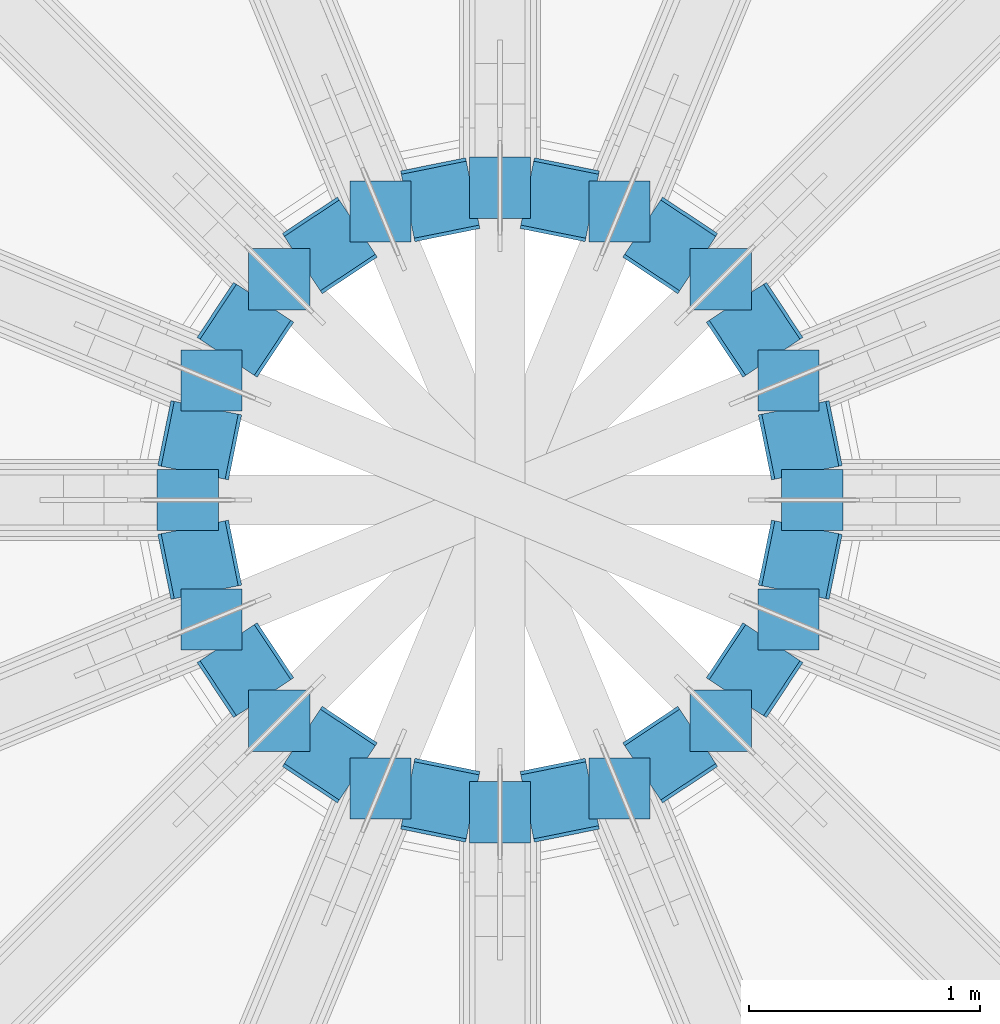
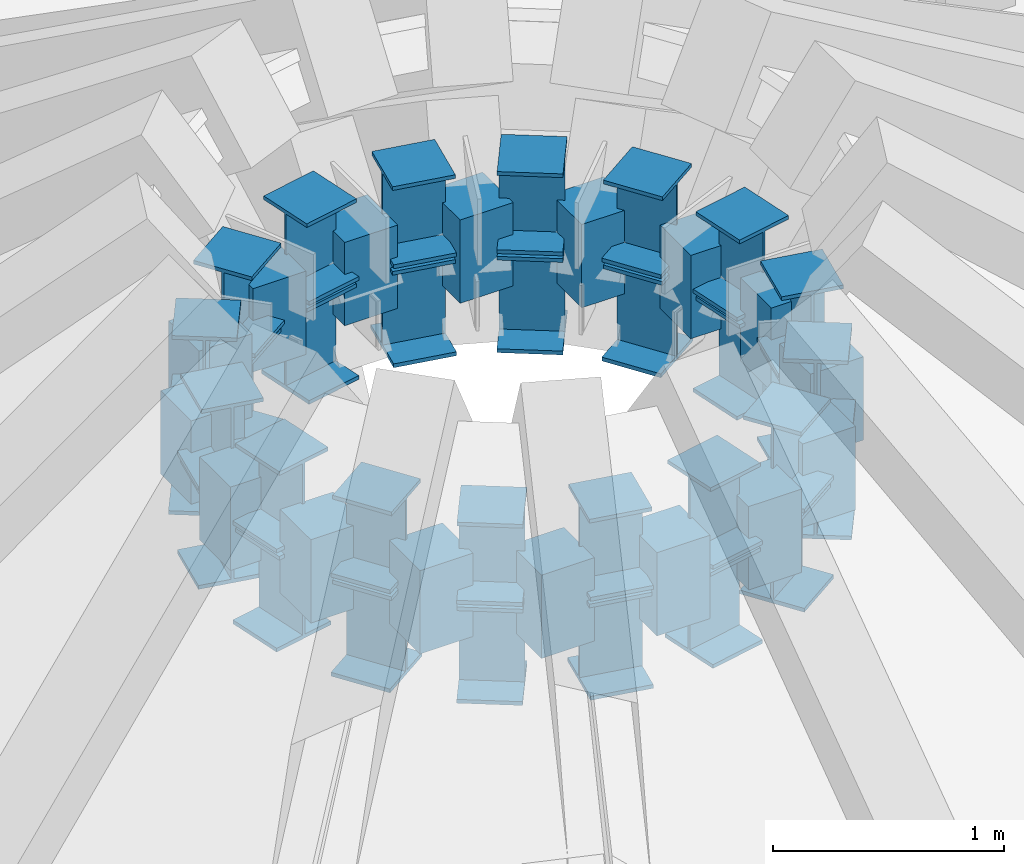
# One storey, part 20 of 58: 32 beams, 16 members.
"""IFC4 building model written with IfcOpenShell, lengths in metres."""

from ifc_helpers import new_model, si_unit, direction, frame, origin, origin_2d, place, context, subcontext, project, spatial, rectangle, i_section, extrude, material, material_profile, profile_set, type_object, element, save


model = new_model("IFC4")

# Units and contexts
model_context = context("Model", 3, precision=1e-05, world=origin(), true_north=direction((0.0, 1.0)))
body_context = subcontext(model_context, "Body", "Model", "MODEL_VIEW")
ifc_project = project(units=[si_unit("LENGTHUNIT", "METRE"), si_unit("AREAUNIT", "SQUARE_METRE"), si_unit("VOLUMEUNIT", "CUBIC_METRE"), si_unit("PLANEANGLEUNIT", "RADIAN"), si_unit("MASSUNIT", "GRAM", prefix="KILO")], contexts=[model_context])

# Site, building, storey
site_placement = place(None, origin())
site = spatial("IfcSite", under=ifc_project, at=site_placement, CompositionType="ELEMENT")
building_placement = place(site_placement, origin())
building = spatial("IfcBuilding", under=site, at=building_placement, Name="Aldenvaro Health Centre", CompositionType="ELEMENT")
storey_placement = place(building_placement, frame((0.0, 0.0, 8.75)))
storey = spatial("IfcBuildingStorey", under=building, at=storey_placement, Name="L02", CompositionType="ELEMENT", Elevation=8.75)

# Beams
ifc_material_1 = material(Name="Steel ASTM A992 Grade 50", Category="steel")
ifc_material_profile_1 = material_profile(ifc_material_1, i_section(OverallWidth=0.281982421875, OverallDepth=0.467041015625, WebThickness=0.01220703125, FlangeThickness=0.01953125, at=origin_2d()), Name="W18X86", Category="steel")
ifc_profile_set_1 = profile_set([ifc_material_profile_1], Name="Steel ASTM A992 Grade 50")
beam_type_1 = type_object("IfcBeamType", Name="BM-ST-W18", PredefinedType="SPANDREL", material=ifc_profile_set_1)
beam_1_placement = place(storey_placement, frame((88.326904296875, 20.117919921875, 10.3798828125), z_axis=(-0.198408199651, 0.980119475529, 0.0), x_axis=(-0.980119475529, -0.198408199651, 0.0)))
element("IfcBeam", 1, at=beam_1_placement, inside=storey, type_object=beam_type_1, Name="Waiting Hall Roof Truss Compression Ring 01", PredefinedType="SPANDREL", context=body_context, shape_type="SweptSolid", body=[
    extrude(i_section(OverallWidth=0.281982421875, OverallDepth=0.467041015625, WebThickness=0.01220703125, FlangeThickness=0.01953125, at=origin_2d()), origin(), (0.0, 0.0, 1.0), 0.28662109375),
])
for number, where, z_axis, x_axis, name in (
    (2, (88.179931640625, 20.616943359375, 10.3798828125), (-0.55292400272, 0.833231688797, 0.0), (-0.833231688797, -0.55292400272, 0.0), "Waiting Hall Roof Truss Compression Ring 02"),
    (3, (87.85498046875, 21.02197265625, 10.3798828125), (-0.833231688797, 0.55292400272, 0.0), (-0.55292400272, -0.833231688797, 0.0), "Waiting Hall Roof Truss Compression Ring 03"),
):
    element("IfcBeam", number, at=place(storey_placement, frame(where, z_axis=z_axis, x_axis=x_axis)), inside=storey, type_object=beam_type_1, Name=name, PredefinedType="SPANDREL", context=body_context, shape_type="SweptSolid", body=[
        extrude(i_section(OverallWidth=0.281982421875, OverallDepth=0.467041015625, WebThickness=0.01220703125, FlangeThickness=0.01953125, at=origin_2d()), origin(), (0.0, 0.0, 1.0), 0.28564453125),
    ])
for number, where, z_axis, x_axis, name in (
    (4, (87.39892578125, 21.27001953125, 10.3798828125), (-0.980119475529, 0.198408199651, 0.0), (-0.198408199651, -0.980119475529, 0.0), "Waiting Hall Roof Truss Compression Ring 04"),
    (5, (86.882080078125, 21.326904296875, 10.3798828125), (-0.980119475529, -0.198408199651, 0.0), (0.198408199651, -0.980119475529, 0.0), "Waiting Hall Roof Truss Compression Ring 05"),
):
    element("IfcBeam", number, at=place(storey_placement, frame(where, z_axis=z_axis, x_axis=x_axis)), inside=storey, type_object=beam_type_1, Name=name, PredefinedType="SPANDREL", context=body_context, shape_type="SweptSolid", body=[
        extrude(i_section(OverallWidth=0.281982421875, OverallDepth=0.467041015625, WebThickness=0.01220703125, FlangeThickness=0.01953125, at=origin_2d()), origin(), (0.0, 0.0, 1.0), 0.28662109375),
    ])
for number, where, z_axis, x_axis, name in (
    (6, (86.383056640625, 21.179931640625, 10.3798828125), (-0.833231688797, -0.55292400272, 0.0), (0.55292400272, -0.833231688797, 0.0), "Waiting Hall Roof Truss Compression Ring 06"),
    (7, (85.97802734375, 20.85498046875, 10.3798828125), (-0.55292400272, -0.833231688797, 0.0), (0.833231688797, -0.55292400272, 0.0), "Waiting Hall Roof Truss Compression Ring 07"),
):
    element("IfcBeam", number, at=place(storey_placement, frame(where, z_axis=z_axis, x_axis=x_axis)), inside=storey, type_object=beam_type_1, Name=name, PredefinedType="SPANDREL", context=body_context, shape_type="SweptSolid", body=[
        extrude(i_section(OverallWidth=0.281982421875, OverallDepth=0.467041015625, WebThickness=0.01220703125, FlangeThickness=0.01953125, at=origin_2d()), origin(), (0.0, 0.0, 1.0), 0.28564453125),
    ])
for number, where, z_axis, x_axis, name in (
    (8, (85.72998046875, 20.39892578125, 10.3798828125), (-0.198408199651, -0.980119475529, 0.0), (0.980119475529, -0.198408199651, 0.0), "Waiting Hall Roof Truss Compression Ring 08"),
    (9, (85.673095703125, 19.882080078125, 10.3798828125), (0.198408199651, -0.980119475529, 0.0), (0.980119475529, 0.198408199651, 0.0), "Waiting Hall Roof Truss Compression Ring 09"),
):
    element("IfcBeam", number, at=place(storey_placement, frame(where, z_axis=z_axis, x_axis=x_axis)), inside=storey, type_object=beam_type_1, Name=name, PredefinedType="SPANDREL", context=body_context, shape_type="SweptSolid", body=[
        extrude(i_section(OverallWidth=0.281982421875, OverallDepth=0.467041015625, WebThickness=0.01220703125, FlangeThickness=0.01953125, at=origin_2d()), origin(), (0.0, 0.0, 1.0), 0.28662109375),
    ])
for number, where, z_axis, x_axis, name in (
    (10, (85.820068359375, 19.383056640625, 10.3798828125), (0.55292400272, -0.833231688797, 0.0), (0.833231688797, 0.55292400272, 0.0), "Waiting Hall Roof Truss Compression Ring 10"),
    (11, (86.14501953125, 18.97802734375, 10.3798828125), (0.833231688797, -0.55292400272, 0.0), (0.55292400272, 0.833231688797, 0.0), "Waiting Hall Roof Truss Compression Ring 11"),
):
    element("IfcBeam", number, at=place(storey_placement, frame(where, z_axis=z_axis, x_axis=x_axis)), inside=storey, type_object=beam_type_1, Name=name, PredefinedType="SPANDREL", context=body_context, shape_type="SweptSolid", body=[
        extrude(i_section(OverallWidth=0.281982421875, OverallDepth=0.467041015625, WebThickness=0.01220703125, FlangeThickness=0.01953125, at=origin_2d()), origin(), (0.0, 0.0, 1.0), 0.28564453125),
    ])
for number, where, z_axis, x_axis, name in (
    (12, (86.60107421875, 18.72998046875, 10.3798828125), (0.980119475529, -0.198408199651, 0.0), (0.198408199651, 0.980119475529, 0.0), "Waiting Hall Roof Truss Compression Ring 12"),
    (13, (87.117919921875, 18.673095703125, 10.3798828125), (0.980119475529, 0.198408199651, 0.0), (-0.198408199651, 0.980119475529, 0.0), "Waiting Hall Roof Truss Compression Ring 13"),
):
    element("IfcBeam", number, at=place(storey_placement, frame(where, z_axis=z_axis, x_axis=x_axis)), inside=storey, type_object=beam_type_1, Name=name, PredefinedType="SPANDREL", context=body_context, shape_type="SweptSolid", body=[
        extrude(i_section(OverallWidth=0.281982421875, OverallDepth=0.467041015625, WebThickness=0.01220703125, FlangeThickness=0.01953125, at=origin_2d()), origin(), (0.0, 0.0, 1.0), 0.28662109375),
    ])
for number, where, z_axis, x_axis, name in (
    (14, (87.616943359375, 18.820068359375, 10.3798828125), (0.833231688797, 0.55292400272, 0.0), (-0.55292400272, 0.833231688797, 0.0), "Waiting Hall Roof Truss Compression Ring 14"),
    (15, (88.02197265625, 19.14501953125, 10.3798828125), (0.55292400272, 0.833231688797, 0.0), (-0.833231688797, 0.55292400272, 0.0), "Waiting Hall Roof Truss Compression Ring 15"),
):
    element("IfcBeam", number, at=place(storey_placement, frame(where, z_axis=z_axis, x_axis=x_axis)), inside=storey, type_object=beam_type_1, Name=name, PredefinedType="SPANDREL", context=body_context, shape_type="SweptSolid", body=[
        extrude(i_section(OverallWidth=0.281982421875, OverallDepth=0.467041015625, WebThickness=0.01220703125, FlangeThickness=0.01953125, at=origin_2d()), origin(), (0.0, 0.0, 1.0), 0.28564453125),
    ])
beam_2_placement = place(storey_placement, frame((88.27001953125, 19.60107421875, 10.3798828125), z_axis=(0.198408199651, 0.980119475529, 0.0), x_axis=(-0.980119475529, 0.198408199651, 0.0)))
element("IfcBeam", 16, at=beam_2_placement, inside=storey, type_object=beam_type_1, Name="Waiting Hall Roof Truss Compression Ring 16", PredefinedType="SPANDREL", context=body_context, shape_type="SweptSolid", body=[
    extrude(i_section(OverallWidth=0.281982421875, OverallDepth=0.467041015625, WebThickness=0.01220703125, FlangeThickness=0.01953125, at=origin_2d()), origin(), (0.0, 0.0, 1.0), 0.28662109375),
])
ifc_material_profile_2 = material_profile(ifc_material_1, i_section(OverallWidth=0.31201171875, OverallDepth=0.54296875, WebThickness=0.0126953125, FlangeThickness=0.020263671875, at=origin_2d()), Name="W21X101", Category="steel")
ifc_profile_set_2 = profile_set([ifc_material_profile_2], Name="Steel ASTM A992 Grade 50")
beam_type_2 = type_object("IfcBeamType", Name="BM-ST-W21", PredefinedType="BEAM", material=ifc_profile_set_2)
beam_3_placement = place(storey_placement, frame((88.326904296875, 20.117919921875, 9.93994140625), z_axis=(-0.198408199651, 0.980119475529, 0.0), x_axis=(-0.980119475529, -0.198408199651, 0.0)))
element("IfcBeam", 17, at=beam_3_placement, inside=storey, type_object=beam_type_2, Name="Waiting Hall Roof Truss Tension Ring 01", PredefinedType="BEAM", context=body_context, shape_type="SweptSolid", body=[
    extrude(i_section(OverallWidth=0.31201171875, OverallDepth=0.54296875, WebThickness=0.0126953125, FlangeThickness=0.020263671875, at=origin_2d()), origin(), (0.0, 0.0, 1.0), 0.28662109375),
])
for number, where, z_axis, x_axis, name in (
    (18, (88.179931640625, 20.616943359375, 9.93994140625), (-0.55292400272, 0.833231688797, 0.0), (-0.833231688797, -0.55292400272, 0.0), "Waiting Hall Roof Truss Tension Ring 02"),
    (19, (87.85498046875, 21.02197265625, 9.93994140625), (-0.833231688797, 0.55292400272, 0.0), (-0.55292400272, -0.833231688797, 0.0), "Waiting Hall Roof Truss Tension Ring 03"),
):
    element("IfcBeam", number, at=place(storey_placement, frame(where, z_axis=z_axis, x_axis=x_axis)), inside=storey, type_object=beam_type_2, Name=name, PredefinedType="BEAM", context=body_context, shape_type="SweptSolid", body=[
        extrude(i_section(OverallWidth=0.31201171875, OverallDepth=0.54296875, WebThickness=0.0126953125, FlangeThickness=0.020263671875, at=origin_2d()), origin(), (0.0, 0.0, 1.0), 0.28564453125),
    ])
for number, where, z_axis, x_axis, name in (
    (20, (87.39892578125, 21.27001953125, 9.93994140625), (-0.980119475529, 0.198408199651, 0.0), (-0.198408199651, -0.980119475529, 0.0), "Waiting Hall Roof Truss Tension Ring 04"),
    (21, (86.882080078125, 21.326904296875, 9.93994140625), (-0.980119475529, -0.198408199651, 0.0), (0.198408199651, -0.980119475529, 0.0), "Waiting Hall Roof Truss Tension Ring 05"),
):
    element("IfcBeam", number, at=place(storey_placement, frame(where, z_axis=z_axis, x_axis=x_axis)), inside=storey, type_object=beam_type_2, Name=name, PredefinedType="BEAM", context=body_context, shape_type="SweptSolid", body=[
        extrude(i_section(OverallWidth=0.31201171875, OverallDepth=0.54296875, WebThickness=0.0126953125, FlangeThickness=0.020263671875, at=origin_2d()), origin(), (0.0, 0.0, 1.0), 0.28662109375),
    ])
for number, where, z_axis, x_axis, name in (
    (22, (86.383056640625, 21.179931640625, 9.93994140625), (-0.833231688797, -0.55292400272, 0.0), (0.55292400272, -0.833231688797, 0.0), "Waiting Hall Roof Truss Tension Ring 06"),
    (23, (85.97802734375, 20.85498046875, 9.93994140625), (-0.55292400272, -0.833231688797, 0.0), (0.833231688797, -0.55292400272, 0.0), "Waiting Hall Roof Truss Tension Ring 07"),
):
    element("IfcBeam", number, at=place(storey_placement, frame(where, z_axis=z_axis, x_axis=x_axis)), inside=storey, type_object=beam_type_2, Name=name, PredefinedType="BEAM", context=body_context, shape_type="SweptSolid", body=[
        extrude(i_section(OverallWidth=0.31201171875, OverallDepth=0.54296875, WebThickness=0.0126953125, FlangeThickness=0.020263671875, at=origin_2d()), origin(), (0.0, 0.0, 1.0), 0.28564453125),
    ])
for number, where, z_axis, x_axis, name in (
    (24, (85.72998046875, 20.39892578125, 9.93994140625), (-0.198408199651, -0.980119475529, 0.0), (0.980119475529, -0.198408199651, 0.0), "Waiting Hall Roof Truss Tension Ring 08"),
    (25, (85.673095703125, 19.882080078125, 9.93994140625), (0.198408199651, -0.980119475529, 0.0), (0.980119475529, 0.198408199651, 0.0), "Waiting Hall Roof Truss Tension Ring 09"),
):
    element("IfcBeam", number, at=place(storey_placement, frame(where, z_axis=z_axis, x_axis=x_axis)), inside=storey, type_object=beam_type_2, Name=name, PredefinedType="BEAM", context=body_context, shape_type="SweptSolid", body=[
        extrude(i_section(OverallWidth=0.31201171875, OverallDepth=0.54296875, WebThickness=0.0126953125, FlangeThickness=0.020263671875, at=origin_2d()), origin(), (0.0, 0.0, 1.0), 0.28662109375),
    ])
for number, where, z_axis, x_axis, name in (
    (26, (85.820068359375, 19.383056640625, 9.93994140625), (0.55292400272, -0.833231688797, 0.0), (0.833231688797, 0.55292400272, 0.0), "Waiting Hall Roof Truss Tension Ring 10"),
    (27, (86.14501953125, 18.97802734375, 9.93994140625), (0.833231688797, -0.55292400272, 0.0), (0.55292400272, 0.833231688797, 0.0), "Waiting Hall Roof Truss Tension Ring 11"),
):
    element("IfcBeam", number, at=place(storey_placement, frame(where, z_axis=z_axis, x_axis=x_axis)), inside=storey, type_object=beam_type_2, Name=name, PredefinedType="BEAM", context=body_context, shape_type="SweptSolid", body=[
        extrude(i_section(OverallWidth=0.31201171875, OverallDepth=0.54296875, WebThickness=0.0126953125, FlangeThickness=0.020263671875, at=origin_2d()), origin(), (0.0, 0.0, 1.0), 0.28564453125),
    ])
for number, where, z_axis, x_axis, name in (
    (28, (86.60107421875, 18.72998046875, 9.93994140625), (0.980119475529, -0.198408199651, 0.0), (0.198408199651, 0.980119475529, 0.0), "Waiting Hall Roof Truss Tension Ring 12"),
    (29, (87.117919921875, 18.673095703125, 9.93994140625), (0.980119475529, 0.198408199651, 0.0), (-0.198408199651, 0.980119475529, 0.0), "Waiting Hall Roof Truss Tension Ring 13"),
):
    element("IfcBeam", number, at=place(storey_placement, frame(where, z_axis=z_axis, x_axis=x_axis)), inside=storey, type_object=beam_type_2, Name=name, PredefinedType="BEAM", context=body_context, shape_type="SweptSolid", body=[
        extrude(i_section(OverallWidth=0.31201171875, OverallDepth=0.54296875, WebThickness=0.0126953125, FlangeThickness=0.020263671875, at=origin_2d()), origin(), (0.0, 0.0, 1.0), 0.28662109375),
    ])
for number, where, z_axis, x_axis, name in (
    (30, (87.616943359375, 18.820068359375, 9.93994140625), (0.833231688797, 0.55292400272, 0.0), (-0.55292400272, 0.833231688797, 0.0), "Waiting Hall Roof Truss Tension Ring 14"),
    (31, (88.02197265625, 19.14501953125, 9.93994140625), (0.55292400272, 0.833231688797, 0.0), (-0.833231688797, 0.55292400272, 0.0), "Waiting Hall Roof Truss Tension Ring 15"),
):
    element("IfcBeam", number, at=place(storey_placement, frame(where, z_axis=z_axis, x_axis=x_axis)), inside=storey, type_object=beam_type_2, Name=name, PredefinedType="BEAM", context=body_context, shape_type="SweptSolid", body=[
        extrude(i_section(OverallWidth=0.31201171875, OverallDepth=0.54296875, WebThickness=0.0126953125, FlangeThickness=0.020263671875, at=origin_2d()), origin(), (0.0, 0.0, 1.0), 0.28564453125),
    ])
beam_4_placement = place(storey_placement, frame((88.27001953125, 19.60107421875, 9.93994140625), z_axis=(0.198408199651, 0.980119475529, 0.0), x_axis=(-0.980119475529, 0.198408199651, 0.0)))
element("IfcBeam", 32, at=beam_4_placement, inside=storey, type_object=beam_type_2, Name="Waiting Hall Roof Truss Tension Ring 16", PredefinedType="BEAM", context=body_context, shape_type="SweptSolid", body=[
    extrude(i_section(OverallWidth=0.31201171875, OverallDepth=0.54296875, WebThickness=0.0126953125, FlangeThickness=0.020263671875, at=origin_2d()), origin(), (0.0, 0.0, 1.0), 0.28662109375),
])

# Members
ifc_material_2 = material(Name="Glulam GL28h", Category="wood")
ifc_material_profile_3 = material_profile(ifc_material_2, rectangle(XDim=0.264892578125, YDim=0.264892578125, at=origin_2d()), Name="GL 265x265", Category="wood")
ifc_profile_set_3 = profile_set([ifc_material_profile_3], Name="Glulam GL28h")
member_type = type_object("IfcMemberType", Name="MEM-ST-265", PredefinedType="STRUT", material=ifc_profile_set_3)
for number, where, z_axis, x_axis, name in (
    (33, (88.35009765625, 20.0, 9.93994140625), (0.0, 0.0, 1.0), (1.0, 0.0, 0.0), "Waiting Hall Roof Truss Lantern Strut 01"),
    (34, (88.2470703125, 20.51708984375, 9.93994140625), (0.0, 0.0, 1.0), (1.0, 0.0, 0.0), "Waiting Hall Roof Truss Lantern Strut 02"),
    (35, (87.955078125, 20.955078125, 9.93994140625), (0.0, 0.0, 1.0), (1.0, 0.0, 0.0), "Waiting Hall Roof Truss Lantern Strut 03"),
    (36, (87.51708984375, 21.2470703125, 9.93994140625), (0.0, 0.0, 1.0), (1.0, 0.0, 0.0), "Waiting Hall Roof Truss Lantern Strut 04"),
    (37, (87.0, 21.35009765625, 9.93994140625), (0.0, 0.0, 1.0), (1.0, 0.0, 0.0), "Waiting Hall Roof Truss Lantern Strut 05"),
    (38, (86.48291015625, 21.2470703125, 9.93994140625), (0.0, 0.0, 1.0), (1.0, 0.0, 0.0), "Waiting Hall Roof Truss Lantern Strut 06"),
    (39, (86.044921875, 20.955078125, 9.93994140625), (0.0, 0.0, 1.0), (1.0, 0.0, 0.0), "Waiting Hall Roof Truss Lantern Strut 07"),
    (40, (85.7529296875, 20.51708984375, 9.93994140625), (0.0, 0.0, 1.0), (1.0, 0.0, 0.0), "Waiting Hall Roof Truss Lantern Strut 08"),
    (41, (85.64990234375, 20.0, 9.93994140625), (0.0, 0.0, 1.0), (1.0, 0.0, 0.0), "Waiting Hall Roof Truss Lantern Strut 09"),
    (42, (85.7529296875, 19.48291015625, 9.93994140625), (0.0, 0.0, 1.0), (1.0, 0.0, 0.0), "Waiting Hall Roof Truss Lantern Strut 10"),
    (43, (86.044921875, 19.044921875, 9.93994140625), (0.0, 0.0, 1.0), (1.0, 0.0, 0.0), "Waiting Hall Roof Truss Lantern Strut 11"),
    (44, (86.48291015625, 18.7529296875, 9.93994140625), (0.0, 0.0, 1.0), (1.0, 0.0, 0.0), "Waiting Hall Roof Truss Lantern Strut 12"),
    (45, (87.0, 18.64990234375, 9.93994140625), (0.0, 0.0, 1.0), (1.0, 0.0, 0.0), "Waiting Hall Roof Truss Lantern Strut 13"),
    (46, (87.51708984375, 18.7529296875, 9.93994140625), (0.0, 0.0, 1.0), (1.0, 0.0, 0.0), "Waiting Hall Roof Truss Lantern Strut 14"),
    (47, (87.955078125, 19.044921875, 9.93994140625), (0.0, 0.0, 1.0), (1.0, 0.0, 0.0), "Waiting Hall Roof Truss Lantern Strut 15"),
    (48, (88.2470703125, 19.48291015625, 9.93994140625), (0.0, 0.0, 1.0), (1.0, 0.0, 0.0), "Waiting Hall Roof Truss Lantern Strut 16"),
):
    element("IfcMember", number, at=place(storey_placement, frame(where, z_axis=z_axis, x_axis=x_axis)), inside=storey, type_object=member_type, Name=name, PredefinedType="STRUT", context=body_context, shape_type="SweptSolid", body=[
        extrude(rectangle(XDim=0.264892578125, YDim=0.264892578125, at=origin_2d()), origin(), (0.0, 0.0, 1.0), 0.43994140625),
    ])

save(model, "model.ifc")
